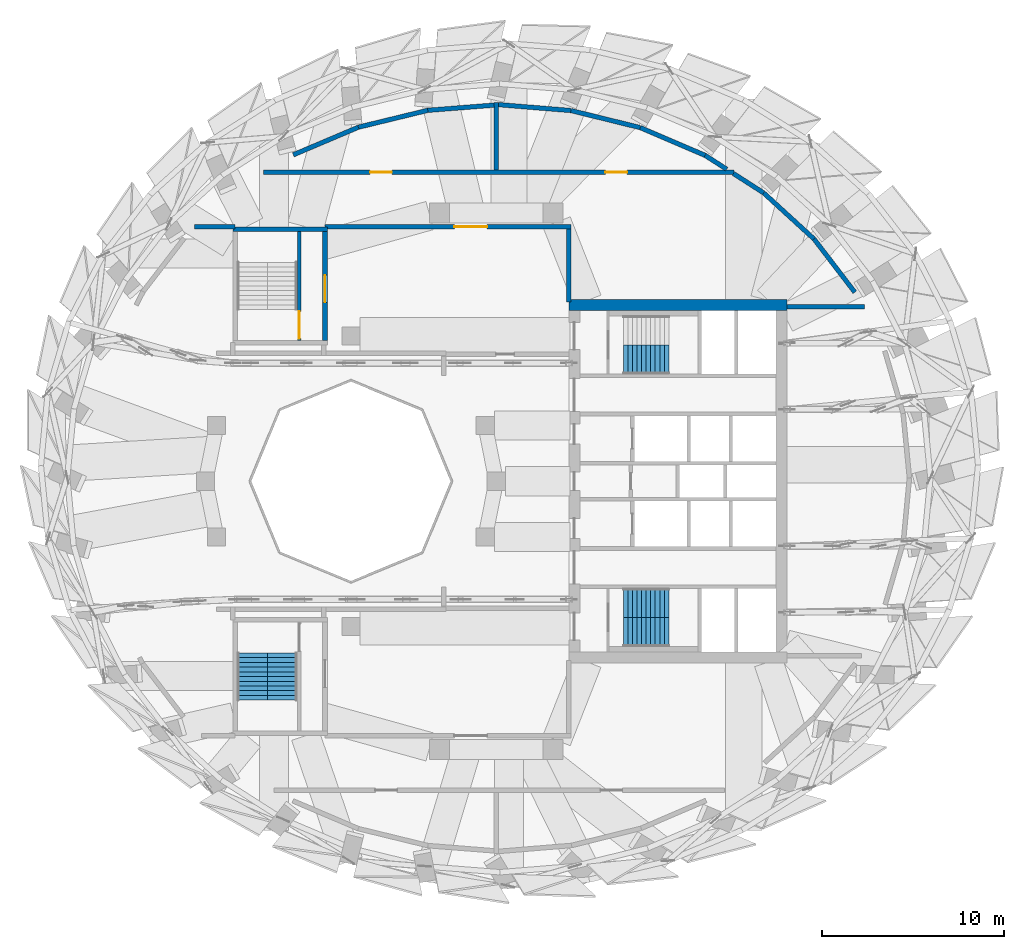
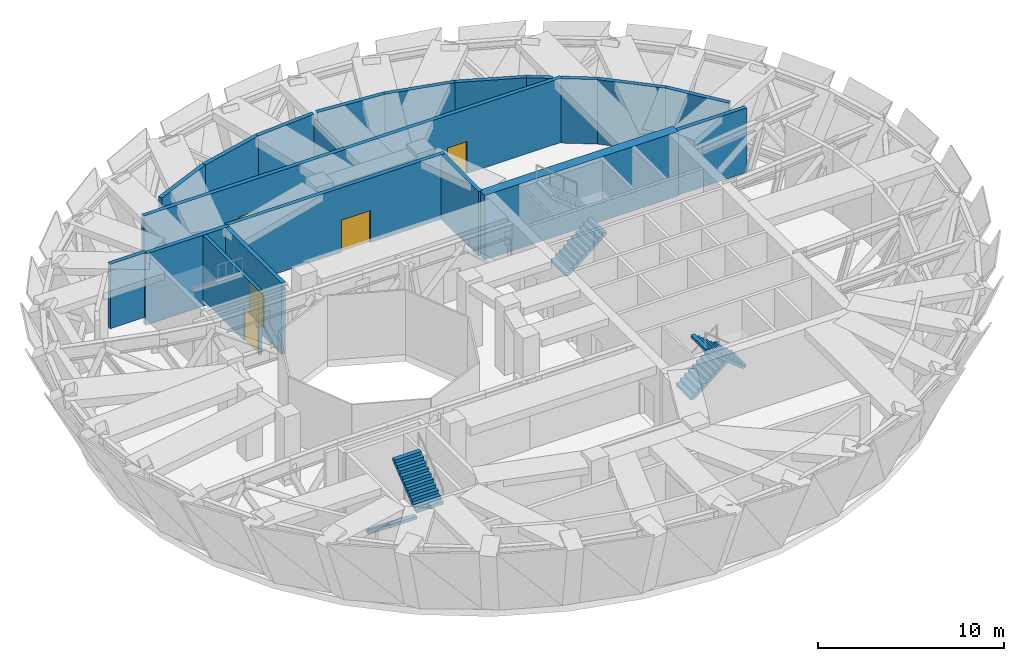
# One storey, part 9 of 16: 20 walls, 5 doors, 5 stair flights, 5 openings, 3 elements without a shape of their own.
"""IFC4 building model written with IfcOpenShell, lengths in metres."""

from ifc_helpers import new_model, si_unit, direction, frame, frame_2d, origin, place, context, subcontext, project, spatial, polyline, rectangle, outline, extrude, material, layer, layer_set, type_object, element, fill, aggregate, save


model = new_model("IFC4")

# Units and contexts
model_context = context("Model", 3, precision=1e-05, world=origin(), true_north=direction((0.0, 1.0)))
body_context = subcontext(model_context, "Body", "Model", "MODEL_VIEW")
ifc_project = project(units=[si_unit("LENGTHUNIT", "METRE"), si_unit("AREAUNIT", "SQUARE_METRE"), si_unit("VOLUMEUNIT", "CUBIC_METRE"), si_unit("PLANEANGLEUNIT", "RADIAN"), si_unit("MASSUNIT", "GRAM", prefix="KILO")], contexts=[model_context])

# Site, building, storey
site_placement = place(None, origin())
site = spatial("IfcSite", under=ifc_project, at=site_placement, CompositionType="ELEMENT")
building_placement = place(site_placement, origin())
building = spatial("IfcBuilding", under=site, at=building_placement, Name="Taillehof Tower", CompositionType="ELEMENT")
storey_placement = place(building_placement, frame((0.0, 0.0, 184.699951171875)))
storey = spatial("IfcBuildingStorey", under=building, at=storey_placement, Name="L52", CompositionType="ELEMENT", Elevation=184.699951171875)

# Walls
ifc_material_1 = material(Name="Concrete C80/95", Category="concrete")
ifc_layer_1 = layer(ifc_material_1, 0.60009765625)
ifc_layer_set_1 = layer_set([ifc_layer_1], Name="Core wall C80/95 600")
wall_type_1 = type_object("IfcWallType", Name="Core wall C80/95 600", PredefinedType="SHEAR", material=ifc_layer_set_1)
wall_1_placement = place(storey_placement, frame((4.0, 9.699951171875, 0.0), z_axis=(0.0, 0.0, 1.0), x_axis=(1.0, 0.0, 0.0)))
element("IfcWall", 1, at=wall_1_placement, inside=storey, type_object=wall_type_1, Name="Core wall CW06", PredefinedType="SHEAR", context=body_context, shape_type="SweptSolid", body=[
    extrude(rectangle(XDim=12.0, YDim=0.60009765625, at=frame_2d((6.0, 0.0))), origin(), (0.0, 0.0, 1.0), 4.219970703125),
])
ifc_material_2 = material(Name="Calcium silicate blockwork", Category="masonry")
ifc_layer_2 = layer(ifc_material_2, 0.25)
ifc_layer_set_2 = layer_set([ifc_layer_2], Name="Fire-resisting wall EI 120 250 mm")
wall_type_2 = type_object("IfcWallType", Name="Fire-resisting wall EI 120 250 mm", PredefinedType="PARTITIONING", material=ifc_layer_set_2)
wall_2_placement = place(storey_placement, frame((14.71826171875, 15.869140625, 0.0), z_axis=(0.0, 0.0, 1.0), x_axis=(-0.841680298143, 0.539976180695, 0.0)))
element("IfcWall", 2, at=wall_2_placement, inside=storey, type_object=wall_type_2, Name="Wall TRB / L52-04", PredefinedType="PARTITIONING", context=body_context, shape_type="SweptSolid", body=[
    extrude(rectangle(XDim=1.974365234375, YDim=0.25, at=frame_2d((0.9873046875, 0.0))), origin(), (0.0, 0.0, 1.0), 4.219970703125),
])
wall_3_placement = place(storey_placement, frame((17.49169921875, 13.33203125, 0.0), z_axis=(0.0, 0.0, 1.0), x_axis=(-0.737843952508, 0.674971334019, 0.0)))
element("IfcWall", 3, at=wall_3_placement, inside=storey, type_object=wall_type_2, Name="Wall TRB / L52-04", PredefinedType="PARTITIONING", context=body_context, shape_type="SweptSolid", body=[
    extrude(rectangle(XDim=3.7587890625, YDim=0.25, at=frame_2d((1.87939453125, 0.0))), origin(), (0.0, 0.0, 1.0), 4.219970703125),
])
wall_4_placement = place(storey_placement, frame((19.735107421875, 10.402099609375, 0.0), z_axis=(0.0, 0.0, 1.0), x_axis=(-0.607941133058, 0.793982102277, 0.0)))
element("IfcWall", 4, at=wall_4_placement, inside=storey, type_object=wall_type_2, Name="Wall TRB / L52-04", PredefinedType="PARTITIONING", context=body_context, shape_type="SweptSolid", body=[
    extrude(rectangle(XDim=3.690185546875, YDim=0.25, at=frame_2d((1.84521484375, 0.0))), origin(), (0.0, 0.0, 1.0), 4.219970703125),
])
wall_5_placement = place(storey_placement, frame((-7.586181640625, 19.485595703125, 0.0), z_axis=(0.0, 0.0, 1.0), x_axis=(-0.920602981077, -0.390499873536, 0.0)))
element("IfcWall", 5, at=wall_5_placement, inside=storey, type_object=wall_type_2, Name="Wall TRB / L52-06", PredefinedType="PARTITIONING", context=body_context, shape_type="SweptSolid", body=[
    extrude(rectangle(XDim=3.889404296875, YDim=0.25, at=frame_2d((1.94482421875, 0.0))), origin(), (0.0, 0.0, 1.0), 4.219970703125),
])
wall_6_placement = place(storey_placement, frame((-3.76708984375, 20.414794921875, 0.0), z_axis=(0.0, 0.0, 1.0), x_axis=(-0.971654107781, -0.236407053264, 0.0)))
element("IfcWall", 6, at=wall_6_placement, inside=storey, type_object=wall_type_2, Name="Wall TRB / L52-06", PredefinedType="PARTITIONING", context=body_context, shape_type="SweptSolid", body=[
    extrude(rectangle(XDim=3.930419921875, YDim=0.25, at=frame_2d((1.96533203125, 0.0))), origin(), (0.0, 0.0, 1.0), 4.219970703125),
])
wall_7_placement = place(storey_placement, frame((-0.11572265625, 20.70068359375, 0.0), z_axis=(0.0, 0.0, 1.0), x_axis=(-0.996948863072, -0.078057443077, 0.0)))
element("IfcWall", 7, at=wall_7_placement, inside=storey, type_object=wall_type_2, Name="Wall TRB / L52-06", PredefinedType="PARTITIONING", context=body_context, shape_type="SweptSolid", body=[
    extrude(rectangle(XDim=3.66259765625, YDim=0.25, at=frame_2d((1.831298828125, 0.0))), origin(), (0.0, 0.0, 1.0), 4.219970703125),
])
wall_8_placement = place(storey_placement, frame((4.111572265625, 20.40234375, 0.0), z_axis=(0.0, 0.0, 1.0), x_axis=(-0.996694485566, 0.081241014527, 0.0)))
element("IfcWall", 8, at=wall_8_placement, inside=storey, type_object=wall_type_2, Name="Wall TRB / L52-07", PredefinedType="PARTITIONING", context=body_context, shape_type="SweptSolid", body=[
    extrude(rectangle(XDim=4.0087890625, YDim=0.25, at=frame_2d((2.00439453125, 0.0))), origin(), (0.0, 0.0, 1.0), 4.219970703125),
])
wall_9_placement = place(storey_placement, frame((7.926025390625, 19.462890625, 0.0), z_axis=(0.0, 0.0, 1.0), x_axis=(-0.970984692247, 0.239141647194, 0.0)))
element("IfcWall", 9, at=wall_9_placement, inside=storey, type_object=wall_type_2, Name="Wall TRB / L52-07", PredefinedType="PARTITIONING", context=body_context, shape_type="SweptSolid", body=[
    extrude(rectangle(XDim=3.928466796875, YDim=0.25, at=frame_2d((1.96435546875, 0.0))), origin(), (0.0, 0.0, 1.0), 4.219970703125),
])
wall_10_placement = place(storey_placement, frame((11.497802734375, 17.935302734375, 0.0), z_axis=(0.0, 0.0, 1.0), x_axis=(-0.919440581638, 0.393228962359, 0.0)))
element("IfcWall", 10, at=wall_10_placement, inside=storey, type_object=wall_type_2, Name="Wall TRB / L52-07", PredefinedType="PARTITIONING", context=body_context, shape_type="SweptSolid", body=[
    extrude(rectangle(XDim=3.884765625, YDim=0.25, at=frame_2d((1.9423828125, 0.0))), origin(), (0.0, 0.0, 1.0), 4.219970703125),
])
wall_11_placement = place(storey_placement, frame((12.6826171875, 17.17529296875, 0.0), z_axis=(0.0, 0.0, 1.0), x_axis=(-0.84171341623, 0.539924554858, 0.0)))
element("IfcWall", 11, at=wall_11_placement, inside=storey, type_object=wall_type_2, Name="Wall TRB / L52-07", PredefinedType="PARTITIONING", context=body_context, shape_type="SweptSolid", body=[
    extrude(rectangle(XDim=1.40771484375, YDim=0.25, at=frame_2d((0.703857421875, 0.0))), origin(), (0.0, 0.0, 1.0), 4.219970703125),
])
wall_12_placement = place(storey_placement, frame((15.998046875, 9.60009765625, 0.0), z_axis=(0.0, 0.0, 1.0), x_axis=(1.0, 0.0, 0.0)))
element("IfcWall", 12, at=wall_12_placement, inside=storey, type_object=wall_type_2, Name="Wall TRE / L52-04", PredefinedType="PARTITIONING", context=body_context, shape_type="SweptSolid", body=[
    extrude(rectangle(XDim=4.271484375, YDim=0.25, at=frame_2d((2.1357421875, 0.0))), origin(), (0.0, 0.0, 1.0), 4.219970703125),
])
wall_13_placement = place(storey_placement, frame((-16.6171875, 14.0, 0.0), z_axis=(0.0, 0.0, 1.0), x_axis=(1.0, 0.0, 0.0)))
element("IfcWall", 13, at=wall_13_placement, inside=storey, type_object=wall_type_2, Name="Wall L52-04 / L52-10", PredefinedType="PARTITIONING", context=body_context, shape_type="SweptSolid", body=[
    extrude(rectangle(XDim=2.2421875, YDim=0.25, at=frame_2d((1.12109375, 0.0))), origin(), (0.0, 0.0, 1.0), 4.219970703125),
])

# Wall, opening, door
wall_14_placement = place(storey_placement, frame((-9.425048828125, 14.0, 0.0), z_axis=(0.0, 0.0, 1.0), x_axis=(1.0, 0.0, 0.0)))
wall_14 = element("IfcWall", 14, at=wall_14_placement, inside=storey, type_object=wall_type_2, Name="Wall L52-01 / L52-04", PredefinedType="PARTITIONING", context=body_context, shape_type="SweptSolid", body=[
    extrude(rectangle(XDim=13.550048828125, YDim=0.25, at=frame_2d((6.77490234375, 0.0))), origin(), (0.0, 0.0, 1.0), 4.219970703125),
])
opening_1_placement = place(wall_14_placement, frame((7.125, 0.0, 0.0)))
opening_1 = element("IfcOpeningElement", 15, at=opening_1_placement, cuts=wall_14, Name="Opening D5245", PredefinedType="OPENING", context=body_context, shape_type="SweptSolid", body=[
    extrude(rectangle(XDim=1.800048828125, YDim=2.10009765625, at=frame_2d((0.89990234375, 1.050048828125))), frame((0.0, 0.135009765625, 0.0), z_axis=(0.0, -1.0, 0.0), x_axis=(1.0, 0.0, 0.0)), (0.0, 0.0, 1.0), 0.27001953125),
])
ifc_material_3 = material(Name="Hollow metal door set")
door_type_1 = type_object("IfcDoorType", Name="Double door 1800 x 2100 FD120S", OperationType="DOUBLE_DOOR_SINGLE_SWING", PredefinedType="DOOR", material=ifc_material_3)
door_1_placement = place(opening_1_placement, origin())
door_1 = element("IfcDoor", 16, at=door_1_placement, inside=storey, type_object=door_type_1, Name="Door D5245", OperationType="DOUBLE_DOOR_SINGLE_SWING", OverallHeight=2.10009765625, OverallWidth=1.800048828125, PredefinedType="DOOR", context=body_context, shape_type="SweptSolid", body=[
    extrude(rectangle(XDim=1.800048828125, YDim=2.10009765625, at=frame_2d((0.89990234375, 1.050048828125))), frame((0.0, 0.02490234375, 0.0), z_axis=(0.0, -1.0, 0.0), x_axis=(1.0, 0.0, 0.0)), (0.0, 0.0, 1.0), 0.050048828125),
])
fill(opening_1, door_1)

# Wall, openings, doors
wall_15_placement = place(storey_placement, frame((-12.808837890625, 17.0, 0.0), z_axis=(0.0, 0.0, 1.0), x_axis=(1.0, 0.0, 0.0)))
wall_15 = element("IfcWall", 17, at=wall_15_placement, inside=storey, type_object=wall_type_2, Name="Wall L52-04 / L52-06", PredefinedType="PARTITIONING", context=body_context, shape_type="SweptSolid", body=[
    extrude(rectangle(XDim=25.889404296875, YDim=0.25, at=frame_2d((12.94482421875, 0.0))), origin(), (0.0, 0.0, 1.0), 4.219970703125),
])
opening_2_placement = place(wall_15_placement, frame((5.86669921875, 0.0, 0.0)))
opening_2 = element("IfcOpeningElement", 18, at=opening_2_placement, cuts=wall_15, Name="Opening D5246", PredefinedType="OPENING", context=body_context, shape_type="SweptSolid", body=[
    extrude(rectangle(XDim=1.199951171875, YDim=2.10009765625, at=frame_2d((0.60009765625, 1.050048828125))), frame((0.0, 0.135009765625, 0.0), z_axis=(0.0, -1.0, 0.0), x_axis=(1.0, 0.0, 0.0)), (0.0, 0.0, 1.0), 0.27001953125),
])
opening_3_placement = place(wall_15_placement, frame((18.811767578125, 0.0, 0.0)))
opening_3 = element("IfcOpeningElement", 19, at=opening_3_placement, cuts=wall_15, Name="Opening D5247", PredefinedType="OPENING", context=body_context, shape_type="SweptSolid", body=[
    extrude(rectangle(XDim=1.199951171875, YDim=2.10009765625, at=frame_2d((0.60009765625, 1.050048828125))), frame((0.0, 0.135009765625, 0.0), z_axis=(0.0, -1.0, 0.0), x_axis=(1.0, 0.0, 0.0)), (0.0, 0.0, 1.0), 0.27001953125),
])
ifc_material_4 = material(Name="Hollow metal door set")
door_type_2 = type_object("IfcDoorType", Name="Single door 1200 x 2100 FD120S", OperationType="SINGLE_SWING_LEFT", PredefinedType="DOOR", material=ifc_material_4)
door_2_placement = place(opening_2_placement, origin())
door_2 = element("IfcDoor", 20, at=door_2_placement, inside=storey, type_object=door_type_2, Name="Door D5246", OperationType="SINGLE_SWING_LEFT", OverallHeight=2.10009765625, OverallWidth=1.199951171875, PredefinedType="DOOR", context=body_context, shape_type="SweptSolid", body=[
    extrude(rectangle(XDim=1.199951171875, YDim=2.10009765625, at=frame_2d((0.60009765625, 1.050048828125))), frame((0.0, 0.02490234375, 0.0), z_axis=(0.0, -1.0, 0.0), x_axis=(1.0, 0.0, 0.0)), (0.0, 0.0, 1.0), 0.050048828125),
])
fill(opening_2, door_2)
door_3_placement = place(opening_3_placement, origin())
door_3 = element("IfcDoor", 21, at=door_3_placement, inside=storey, type_object=door_type_2, Name="Door D5247", OperationType="SINGLE_SWING_RIGHT", OverallHeight=2.10009765625, OverallWidth=1.199951171875, PredefinedType="DOOR", context=body_context, shape_type="SweptSolid", body=[
    extrude(rectangle(XDim=1.199951171875, YDim=2.10009765625, at=frame_2d((0.60009765625, 1.050048828125))), frame((0.0, 0.02490234375, 0.0), z_axis=(0.0, -1.0, 0.0), x_axis=(1.0, 0.0, 0.0)), (0.0, 0.0, 1.0), 0.050048828125),
])
fill(opening_3, door_3)

# Walls
wall_16_placement = place(storey_placement, frame((0.0, 17.125, 0.0), z_axis=(0.0, 0.0, 1.0), x_axis=(0.0, 1.0, 0.0)))
element("IfcWall", 22, at=wall_16_placement, inside=storey, type_object=wall_type_2, Name="Wall L52-06 / L52-07", PredefinedType="PARTITIONING", context=body_context, shape_type="SweptSolid", body=[
    extrude(rectangle(XDim=3.709716796875, YDim=0.25, at=frame_2d((1.85498046875, 0.0))), origin(), (0.0, 0.0, 1.0), 3.670166015625),
])
wall_17_placement = place(storey_placement, frame((4.0, 9.875, 0.0), z_axis=(0.0, 0.0, 1.0), x_axis=(0.0, 1.0, 0.0)))
element("IfcWall", 23, at=wall_17_placement, inside=storey, type_object=wall_type_2, Name="Wall L52-01 / L52-04", PredefinedType="PARTITIONING", context=body_context, shape_type="SweptSolid", body=[
    extrude(rectangle(XDim=4.0, YDim=0.25, at=frame_2d((2.0, 0.0))), origin(), (0.0, 0.0, 1.0), 4.219970703125),
])

# Wall, opening, door
ifc_material_5 = material(Name="Concrete C50/60", Category="concrete")
ifc_layer_3 = layer(ifc_material_5, 0.199951171875)
ifc_layer_set_3 = layer_set([ifc_layer_3], Name="Shaft wall C50/60 200")
wall_type_3 = type_object("IfcWallType", Name="Shaft wall C50/60 200", PredefinedType="SHEAR", material=ifc_layer_set_3)
wall_18_placement = place(storey_placement, frame((-10.85009765625, 7.75, 0.0), z_axis=(0.0, 0.0, 1.0), x_axis=(0.0, 1.0, 0.0)))
wall_18 = element("IfcWall", 24, at=wall_18_placement, inside=storey, type_object=wall_type_3, Name="Shaft wall SW", PredefinedType="SHEAR", context=body_context, shape_type="SweptSolid", body=[
    extrude(rectangle(XDim=6.0, YDim=0.199951171875, at=frame_2d((3.0, 0.0))), origin(), (0.0, 0.0, 1.0), 4.219970703125),
])
opening_4_placement = place(wall_18_placement, frame((0.10009765625, 0.0, 0.0)))
opening_4 = element("IfcOpeningElement", 25, at=opening_4_placement, cuts=wall_18, Name="Opening D5210", PredefinedType="OPENING", context=body_context, shape_type="SweptSolid", body=[
    extrude(rectangle(XDim=1.5, YDim=2.10009765625, at=frame_2d((0.75, 1.050048828125))), frame((0.0, 0.10986328125, 0.0), z_axis=(0.0, -1.0, 0.0), x_axis=(1.0, 0.0, 0.0)), (0.0, 0.0, 1.0), 0.219970703125),
])
ifc_material_6 = material(Name="Steel-faced fire door", Category="steel")
door_type_3 = type_object("IfcDoorType", Name="Stair door 1500x2100", OperationType="DOUBLE_DOOR_SINGLE_SWING", PredefinedType="DOOR", material=ifc_material_6)
door_4_placement = place(opening_4_placement, origin())
door_4 = element("IfcDoor", 26, at=door_4_placement, inside=storey, type_object=door_type_3, Name="Stair lobby door S3", OperationType="DOUBLE_DOOR_SINGLE_SWING", OverallHeight=2.10009765625, OverallWidth=1.5, PredefinedType="DOOR", context=body_context, shape_type="SweptSolid", body=[
    extrude(rectangle(XDim=1.5, YDim=2.10009765625, at=frame_2d((0.75, 1.050048828125))), frame((0.0, 0.02490234375, 0.0), z_axis=(0.0, -1.0, 0.0), x_axis=(1.0, 0.0, 0.0)), (0.0, 0.0, 1.0), 0.050048828125),
])
fill(opening_4, door_4)

ifc_material_7 = material(Name="Concrete C50/60", Category="concrete")
ifc_layer_4 = layer(ifc_material_7, 0.25)
ifc_layer_set_4 = layer_set([ifc_layer_4], Name="Stair wall C50/60 250")
wall_type_4 = type_object("IfcWallType", Name="Stair wall C50/60 250", PredefinedType="SHEAR", material=ifc_layer_set_4)
wall_19_placement = place(storey_placement, frame((-9.425048828125, 7.75, -0.449951171875), z_axis=(0.0, 0.0, 1.0), x_axis=(0.0, 1.0, 0.0)))
wall_19 = element("IfcWall", 27, at=wall_19_placement, inside=storey, type_object=wall_type_4, Name="Stair wall SC", PredefinedType="SHEAR", context=body_context, shape_type="SweptSolid", body=[
    extrude(rectangle(XDim=6.0, YDim=0.25, at=frame_2d((3.0, 0.0))), origin(), (0.0, 0.0, 1.0), 4.669921875),
])
opening_5_placement = place(wall_19_placement, frame((2.10009765625, 0.0, 0.449951171875)))
opening_5 = element("IfcOpeningElement", 28, at=opening_5_placement, cuts=wall_19, Name="Opening D5213", PredefinedType="OPENING", context=body_context, shape_type="SweptSolid", body=[
    extrude(rectangle(XDim=1.5, YDim=2.10009765625, at=frame_2d((0.75, 1.050048828125))), frame((0.0, 0.135009765625, 0.0), z_axis=(0.0, -1.0, 0.0), x_axis=(1.0, 0.0, 0.0)), (0.0, 0.0, 1.0), 0.27001953125),
])
door_5_placement = place(opening_5_placement, origin())
door_5 = element("IfcDoor", 29, at=door_5_placement, inside=storey, type_object=door_type_3, Name="Stair door S3", OperationType="DOUBLE_DOOR_SINGLE_SWING", OverallHeight=2.10009765625, OverallWidth=1.5, PredefinedType="DOOR", context=body_context, shape_type="SweptSolid", body=[
    extrude(rectangle(XDim=1.5, YDim=2.10009765625, at=frame_2d((0.75, 1.050048828125))), frame((0.0, 0.02490234375, 0.0), z_axis=(0.0, -1.0, 0.0), x_axis=(1.0, 0.0, 0.0)), (0.0, 0.0, 1.0), 0.050048828125),
])
fill(opening_5, door_5)

# Wall
wall_20_placement = place(storey_placement, frame((-14.5, 13.875, -0.449951171875), z_axis=(0.0, 0.0, 1.0), x_axis=(1.0, 0.0, 0.0)))
element("IfcWall", 30, at=wall_20_placement, inside=storey, type_object=wall_type_4, Name="Stair wall SC", PredefinedType="SHEAR", context=body_context, shape_type="SweptSolid", body=[
    extrude(rectangle(XDim=5.199951171875, YDim=0.25, at=frame_2d((2.60009765625, 0.0))), origin(), (0.0, 0.0, 1.0), 4.669921875),
])

# Stair, stair flight
ifc_material_8 = material(Name="Concrete C40/50", Category="concrete")
stair_type = type_object("IfcStairType", Name="Exit stair half-turn", PredefinedType="HALF_TURN_STAIR", material=ifc_material_8)
stair_1_placement = place(storey_placement, origin())
stair_1 = element("IfcStair", 31, at=stair_1_placement, inside=storey, type_object=stair_type, Name="Exit stair S1", PredefinedType="HALF_TURN_STAIR")
ifc_material_9 = material(Name="Concrete C40/50", Category="concrete")
stair_flight_type_1 = type_object("IfcStairFlightType", Name="Stair flight 1600 riser 204.5 going 250", PredefinedType="STRAIGHT", material=ifc_material_9)
stair_flight_1_placement = place(storey_placement, frame((7.0, 6.699951171875, 0.0), z_axis=(0.0, 0.0, 1.0), x_axis=(1.0, 0.0, 0.0)))
stair_flight_1 = element("IfcStairFlight", 32, at=stair_flight_1_placement, type_object=stair_flight_type_1, Name="S1 flight 1", NumberOfRisers=11, NumberOfTreads=10, PredefinedType="STRAIGHT", RiserHeight=0.204545455, TreadLength=0.25, context=body_context, shape_type="SweptSolid", body=[
    extrude(outline(polyline([(0.0, 0.0), (0.0, 0.006103515625), (0.0, 0.011962890625), (0.0, 0.01806640625), (0.0, 0.024169921875), (0.0, 0.030029296875), (0.0, 0.0361328125), (0.0, 0.0419921875), (0.0, 0.048095703125), (0.0, 0.05419921875), (0.0, 0.06005859375), (0.0, 0.066162109375), (0.0, 0.072265625), (0.0, 0.078125), (0.0, 0.084228515625), (0.0, 0.09033203125), (0.0, 0.09619140625), (0.0, 0.102294921875), (0.0, 0.1083984375), (0.0, 0.1142578125), (0.0, 0.120361328125), (0.0, 0.126220703125), (0.0, 0.13232421875), (0.0, 0.138427734375), (0.0, 0.144287109375), (0.0, 0.150390625), (0.0, 0.156494140625), (0.0, 0.162353515625), (0.0, 0.16845703125), (0.0, 0.174560546875), (0.0, 0.180419921875), (0.0, 0.1865234375), (0.0, 0.192626953125), (0.0, 0.198486328125), (0.0, 0.20458984375), (0.25, 0.20458984375), (0.25, 0.4091796875), (0.5, 0.4091796875), (0.5, 0.613525390625), (0.75, 0.613525390625), (0.75, 0.818115234375), (1.0, 0.818115234375), (1.0, 1.022705078125), (1.25, 1.022705078125), (1.25, 1.227294921875), (1.5, 1.227294921875), (1.5, 1.431884765625), (1.75, 1.431884765625), (1.75, 1.636474609375), (2.0, 1.636474609375), (2.0, 1.8408203125), (2.25, 1.8408203125), (2.25, 2.04541015625), (2.5, 2.04541015625), (2.5, 2.039794921875), (2.5, 2.0341796875), (2.5, 2.0283203125), (2.5, 2.022705078125), (2.5, 2.01708984375), (2.5, 2.01123046875), (2.5, 2.005615234375), (2.5, 2.0), (2.5, 1.994140625), (2.5, 1.988525390625), (2.5, 1.98291015625), (2.5, 1.97705078125), (2.5, 1.971435546875), (2.5, 1.9658203125), (2.5, 1.9599609375), (2.5, 1.954345703125), (2.5, 1.94873046875), (2.5, 1.94287109375), (2.5, 1.937255859375), (2.5, 1.931640625), (2.5, 1.92578125), (2.5, 1.920166015625), (2.5, 1.91455078125), (2.5, 1.90869140625), (2.5, 1.903076171875), (2.5, 1.8974609375), (2.5, 1.8916015625), (2.5, 1.885986328125), (2.5, 1.88037109375), (2.5, 1.87451171875), (2.5, 1.868896484375), (2.5, 1.86328125), (2.5, 1.857421875), (2.5, 1.851806640625), (0.23681640625, 0.0), (0.0, 0.0)])), frame((0.0, 0.800048828125, 0.0), z_axis=(0.0, -1.0, 0.0), x_axis=(1.0, 0.0, 0.0)), (0.0, 0.0, 1.0), 1.6),
])
aggregate(stair_1, [stair_flight_1])

# Stair, stair flights
stair_2_placement = place(storey_placement, origin())
stair_2 = element("IfcStair", 33, at=stair_2_placement, inside=storey, type_object=stair_type, Name="Exit stair S2", PredefinedType="HALF_TURN_STAIR")
stair_flight_2_placement = place(storey_placement, frame((7.0, -6.699951171875, 0.0), z_axis=(0.0, 0.0, 1.0), x_axis=(1.0, 0.0, 0.0)))
stair_flight_2 = element("IfcStairFlight", 34, at=stair_flight_2_placement, type_object=stair_flight_type_1, Name="S2 flight 1", NumberOfRisers=11, NumberOfTreads=10, PredefinedType="STRAIGHT", RiserHeight=0.204545455, TreadLength=0.25, context=body_context, shape_type="SweptSolid", body=[
    extrude(outline(polyline([(0.0, 0.0), (0.0, 0.006103515625), (0.0, 0.011962890625), (0.0, 0.01806640625), (0.0, 0.024169921875), (0.0, 0.030029296875), (0.0, 0.0361328125), (0.0, 0.0419921875), (0.0, 0.048095703125), (0.0, 0.05419921875), (0.0, 0.06005859375), (0.0, 0.066162109375), (0.0, 0.072265625), (0.0, 0.078125), (0.0, 0.084228515625), (0.0, 0.09033203125), (0.0, 0.09619140625), (0.0, 0.102294921875), (0.0, 0.1083984375), (0.0, 0.1142578125), (0.0, 0.120361328125), (0.0, 0.126220703125), (0.0, 0.13232421875), (0.0, 0.138427734375), (0.0, 0.144287109375), (0.0, 0.150390625), (0.0, 0.156494140625), (0.0, 0.162353515625), (0.0, 0.16845703125), (0.0, 0.174560546875), (0.0, 0.180419921875), (0.0, 0.1865234375), (0.0, 0.192626953125), (0.0, 0.198486328125), (0.0, 0.20458984375), (0.25, 0.20458984375), (0.25, 0.4091796875), (0.5, 0.4091796875), (0.5, 0.613525390625), (0.75, 0.613525390625), (0.75, 0.818115234375), (1.0, 0.818115234375), (1.0, 1.022705078125), (1.25, 1.022705078125), (1.25, 1.227294921875), (1.5, 1.227294921875), (1.5, 1.431884765625), (1.75, 1.431884765625), (1.75, 1.636474609375), (2.0, 1.636474609375), (2.0, 1.8408203125), (2.25, 1.8408203125), (2.25, 2.04541015625), (2.5, 2.04541015625), (2.5, 2.039794921875), (2.5, 2.0341796875), (2.5, 2.0283203125), (2.5, 2.022705078125), (2.5, 2.01708984375), (2.5, 2.01123046875), (2.5, 2.005615234375), (2.5, 2.0), (2.5, 1.994140625), (2.5, 1.988525390625), (2.5, 1.98291015625), (2.5, 1.97705078125), (2.5, 1.971435546875), (2.5, 1.9658203125), (2.5, 1.9599609375), (2.5, 1.954345703125), (2.5, 1.94873046875), (2.5, 1.94287109375), (2.5, 1.937255859375), (2.5, 1.931640625), (2.5, 1.92578125), (2.5, 1.920166015625), (2.5, 1.91455078125), (2.5, 1.90869140625), (2.5, 1.903076171875), (2.5, 1.8974609375), (2.5, 1.8916015625), (2.5, 1.885986328125), (2.5, 1.88037109375), (2.5, 1.87451171875), (2.5, 1.868896484375), (2.5, 1.86328125), (2.5, 1.857421875), (2.5, 1.851806640625), (0.23681640625, 0.0), (0.0, 0.0)])), frame((0.0, 0.800048828125, 0.0), z_axis=(0.0, -1.0, 0.0), x_axis=(1.0, 0.0, 0.0)), (0.0, 0.0, 1.0), 1.6),
])
stair_flight_3_placement = place(storey_placement, frame((9.5, -8.300048828125, 2.25), z_axis=(0.0, 0.0, 1.0), x_axis=(-1.0, 0.0, 0.0)))
stair_flight_3 = element("IfcStairFlight", 35, at=stair_flight_3_placement, type_object=stair_flight_type_1, Name="S2 flight 2", NumberOfRisers=11, NumberOfTreads=10, PredefinedType="STRAIGHT", RiserHeight=0.204545455, TreadLength=0.25, context=body_context, shape_type="SweptSolid", body=[
    extrude(outline(polyline([(0.0, 0.0), (0.0, 0.006103515625), (0.0, 0.011962890625), (0.0, 0.01806640625), (0.0, 0.024169921875), (0.0, 0.030029296875), (0.0, 0.0361328125), (0.0, 0.0419921875), (0.0, 0.048095703125), (0.0, 0.05419921875), (0.0, 0.06005859375), (0.0, 0.066162109375), (0.0, 0.072265625), (0.0, 0.078125), (0.0, 0.084228515625), (0.0, 0.09033203125), (0.0, 0.09619140625), (0.0, 0.102294921875), (0.0, 0.1083984375), (0.0, 0.1142578125), (0.0, 0.120361328125), (0.0, 0.126220703125), (0.0, 0.13232421875), (0.0, 0.138427734375), (0.0, 0.144287109375), (0.0, 0.150390625), (0.0, 0.156494140625), (0.0, 0.162353515625), (0.0, 0.16845703125), (0.0, 0.174560546875), (0.0, 0.180419921875), (0.0, 0.1865234375), (0.0, 0.192626953125), (0.0, 0.198486328125), (0.0, 0.20458984375), (0.25, 0.20458984375), (0.25, 0.4091796875), (0.5, 0.4091796875), (0.5, 0.613525390625), (0.75, 0.613525390625), (0.75, 0.818115234375), (1.0, 0.818115234375), (1.0, 1.022705078125), (1.25, 1.022705078125), (1.25, 1.227294921875), (1.5, 1.227294921875), (1.5, 1.431884765625), (1.75, 1.431884765625), (1.75, 1.636474609375), (2.0, 1.636474609375), (2.0, 1.8408203125), (2.25, 1.8408203125), (2.25, 2.04541015625), (2.5, 2.04541015625), (2.5, 2.039794921875), (2.5, 2.0341796875), (2.5, 2.0283203125), (2.5, 2.022705078125), (2.5, 2.01708984375), (2.5, 2.01123046875), (2.5, 2.005615234375), (2.5, 2.0), (2.5, 1.994140625), (2.5, 1.988525390625), (2.5, 1.98291015625), (2.5, 1.97705078125), (2.5, 1.971435546875), (2.5, 1.9658203125), (2.5, 1.9599609375), (2.5, 1.954345703125), (2.5, 1.94873046875), (2.5, 1.94287109375), (2.5, 1.937255859375), (2.5, 1.931640625), (2.5, 1.92578125), (2.5, 1.920166015625), (2.5, 1.91455078125), (2.5, 1.90869140625), (2.5, 1.903076171875), (2.5, 1.8974609375), (2.5, 1.8916015625), (2.5, 1.885986328125), (2.5, 1.88037109375), (2.5, 1.87451171875), (2.5, 1.868896484375), (2.5, 1.86328125), (2.5, 1.857421875), (2.5, 1.851806640625), (0.23681640625, 0.0), (0.0, 0.0)])), frame((0.0, 0.800048828125, 0.0), z_axis=(0.0, -1.0, 0.0), x_axis=(1.0, 0.0, 0.0)), (0.0, 0.0, 1.0), 1.6),
])
aggregate(stair_2, [stair_flight_2, stair_flight_3])

stair_3_placement = place(storey_placement, origin())
stair_3 = element("IfcStair", 36, at=stair_3_placement, inside=storey, type_object=stair_type, Name="Exit stair S4", PredefinedType="HALF_TURN_STAIR")
ifc_material_10 = material(Name="Concrete C40/50", Category="concrete")
stair_flight_type_2 = type_object("IfcStairFlightType", Name="Stair flight 1650 riser 204.5 going 260", PredefinedType="STRAIGHT", material=ifc_material_10)
stair_flight_4_placement = place(storey_placement, frame((-13.425048828125, -9.449951171875, 0.0), z_axis=(0.0, 0.0, 1.0), x_axis=(0.0, -1.0, 0.0)))
stair_flight_4 = element("IfcStairFlight", 37, at=stair_flight_4_placement, type_object=stair_flight_type_2, Name="S4 flight 1", NumberOfRisers=11, NumberOfTreads=10, PredefinedType="STRAIGHT", RiserHeight=0.204545455, TreadLength=0.26, context=body_context, shape_type="SweptSolid", body=[
    extrude(outline(polyline([(0.0, 0.0), (0.0, 0.006103515625), (0.0, 0.011962890625), (0.0, 0.01806640625), (0.0, 0.024169921875), (0.0, 0.030029296875), (0.0, 0.0361328125), (0.0, 0.0419921875), (0.0, 0.048095703125), (0.0, 0.05419921875), (0.0, 0.06005859375), (0.0, 0.066162109375), (0.0, 0.072265625), (0.0, 0.078125), (0.0, 0.084228515625), (0.0, 0.09033203125), (0.0, 0.09619140625), (0.0, 0.102294921875), (0.0, 0.1083984375), (0.0, 0.1142578125), (0.0, 0.120361328125), (0.0, 0.126220703125), (0.0, 0.13232421875), (0.0, 0.138427734375), (0.0, 0.144287109375), (0.0, 0.150390625), (0.0, 0.156494140625), (0.0, 0.162353515625), (0.0, 0.16845703125), (0.0, 0.174560546875), (0.0, 0.180419921875), (0.0, 0.1865234375), (0.0, 0.192626953125), (0.0, 0.198486328125), (0.0, 0.20458984375), (0.260009765625, 0.20458984375), (0.260009765625, 0.4091796875), (0.52001953125, 0.4091796875), (0.52001953125, 0.613525390625), (0.780029296875, 0.613525390625), (0.780029296875, 0.818115234375), (1.0400390625, 0.818115234375), (1.0400390625, 1.022705078125), (1.300048828125, 1.022705078125), (1.300048828125, 1.227294921875), (1.56005859375, 1.227294921875), (1.56005859375, 1.431884765625), (1.820068359375, 1.431884765625), (1.820068359375, 1.636474609375), (2.080078125, 1.636474609375), (2.080078125, 1.8408203125), (2.340087890625, 1.8408203125), (2.340087890625, 2.04541015625), (2.60009765625, 2.04541015625), (2.60009765625, 2.039794921875), (2.60009765625, 2.0341796875), (2.60009765625, 2.028564453125), (2.60009765625, 2.02294921875), (2.60009765625, 2.017333984375), (2.60009765625, 2.01171875), (2.60009765625, 2.006103515625), (2.60009765625, 2.00048828125), (2.60009765625, 1.994873046875), (2.60009765625, 1.9892578125), (2.60009765625, 1.983642578125), (2.60009765625, 1.97802734375), (2.60009765625, 1.972412109375), (2.60009765625, 1.966796875), (2.60009765625, 1.96142578125), (2.60009765625, 1.955810546875), (2.60009765625, 1.9501953125), (2.60009765625, 1.944580078125), (2.60009765625, 1.93896484375), (2.60009765625, 1.933349609375), (2.60009765625, 1.927734375), (2.60009765625, 1.922119140625), (2.60009765625, 1.91650390625), (2.60009765625, 1.910888671875), (2.60009765625, 1.9052734375), (2.60009765625, 1.899658203125), (2.60009765625, 1.89404296875), (2.60009765625, 1.888427734375), (2.60009765625, 1.8828125), (2.60009765625, 1.877197265625), (2.60009765625, 1.87158203125), (2.60009765625, 1.865966796875), (2.60009765625, 1.8603515625), (2.60009765625, 1.854736328125), (0.242431640625, 0.0), (0.0, 0.0)])), frame((0.0, 0.824951171875, 0.0), z_axis=(0.0, -1.0, 0.0), x_axis=(1.0, 0.0, 0.0)), (0.0, 0.0, 1.0), 1.65),
])
stair_flight_5_placement = place(storey_placement, frame((-11.77490234375, -12.050048828125, 2.25), z_axis=(0.0, 0.0, 1.0), x_axis=(0.0, 1.0, 0.0)))
stair_flight_5 = element("IfcStairFlight", 38, at=stair_flight_5_placement, type_object=stair_flight_type_2, Name="S4 flight 2", NumberOfRisers=11, NumberOfTreads=10, PredefinedType="STRAIGHT", RiserHeight=0.204545455, TreadLength=0.26, context=body_context, shape_type="SweptSolid", body=[
    extrude(outline(polyline([(0.0, 0.0), (0.0, 0.006103515625), (0.0, 0.011962890625), (0.0, 0.01806640625), (0.0, 0.024169921875), (0.0, 0.030029296875), (0.0, 0.0361328125), (0.0, 0.0419921875), (0.0, 0.048095703125), (0.0, 0.05419921875), (0.0, 0.06005859375), (0.0, 0.066162109375), (0.0, 0.072265625), (0.0, 0.078125), (0.0, 0.084228515625), (0.0, 0.09033203125), (0.0, 0.09619140625), (0.0, 0.102294921875), (0.0, 0.1083984375), (0.0, 0.1142578125), (0.0, 0.120361328125), (0.0, 0.126220703125), (0.0, 0.13232421875), (0.0, 0.138427734375), (0.0, 0.144287109375), (0.0, 0.150390625), (0.0, 0.156494140625), (0.0, 0.162353515625), (0.0, 0.16845703125), (0.0, 0.174560546875), (0.0, 0.180419921875), (0.0, 0.1865234375), (0.0, 0.192626953125), (0.0, 0.198486328125), (0.0, 0.20458984375), (0.260009765625, 0.20458984375), (0.260009765625, 0.4091796875), (0.52001953125, 0.4091796875), (0.52001953125, 0.613525390625), (0.780029296875, 0.613525390625), (0.780029296875, 0.818115234375), (1.0400390625, 0.818115234375), (1.0400390625, 1.022705078125), (1.300048828125, 1.022705078125), (1.300048828125, 1.227294921875), (1.56005859375, 1.227294921875), (1.56005859375, 1.431884765625), (1.820068359375, 1.431884765625), (1.820068359375, 1.636474609375), (2.080078125, 1.636474609375), (2.080078125, 1.8408203125), (2.340087890625, 1.8408203125), (2.340087890625, 2.04541015625), (2.60009765625, 2.04541015625), (2.60009765625, 2.039794921875), (2.60009765625, 2.0341796875), (2.60009765625, 2.028564453125), (2.60009765625, 2.02294921875), (2.60009765625, 2.017333984375), (2.60009765625, 2.01171875), (2.60009765625, 2.006103515625), (2.60009765625, 2.00048828125), (2.60009765625, 1.994873046875), (2.60009765625, 1.9892578125), (2.60009765625, 1.983642578125), (2.60009765625, 1.97802734375), (2.60009765625, 1.972412109375), (2.60009765625, 1.966796875), (2.60009765625, 1.96142578125), (2.60009765625, 1.955810546875), (2.60009765625, 1.9501953125), (2.60009765625, 1.944580078125), (2.60009765625, 1.93896484375), (2.60009765625, 1.933349609375), (2.60009765625, 1.927734375), (2.60009765625, 1.922119140625), (2.60009765625, 1.91650390625), (2.60009765625, 1.910888671875), (2.60009765625, 1.9052734375), (2.60009765625, 1.899658203125), (2.60009765625, 1.89404296875), (2.60009765625, 1.888427734375), (2.60009765625, 1.8828125), (2.60009765625, 1.877197265625), (2.60009765625, 1.87158203125), (2.60009765625, 1.865966796875), (2.60009765625, 1.8603515625), (2.60009765625, 1.854736328125), (0.242431640625, 0.0), (0.0, 0.0)])), frame((0.0, 0.824951171875, 0.0), z_axis=(0.0, -1.0, 0.0), x_axis=(1.0, 0.0, 0.0)), (0.0, 0.0, 1.0), 1.65),
])
aggregate(stair_3, [stair_flight_4, stair_flight_5])

save(model, "model.ifc")
